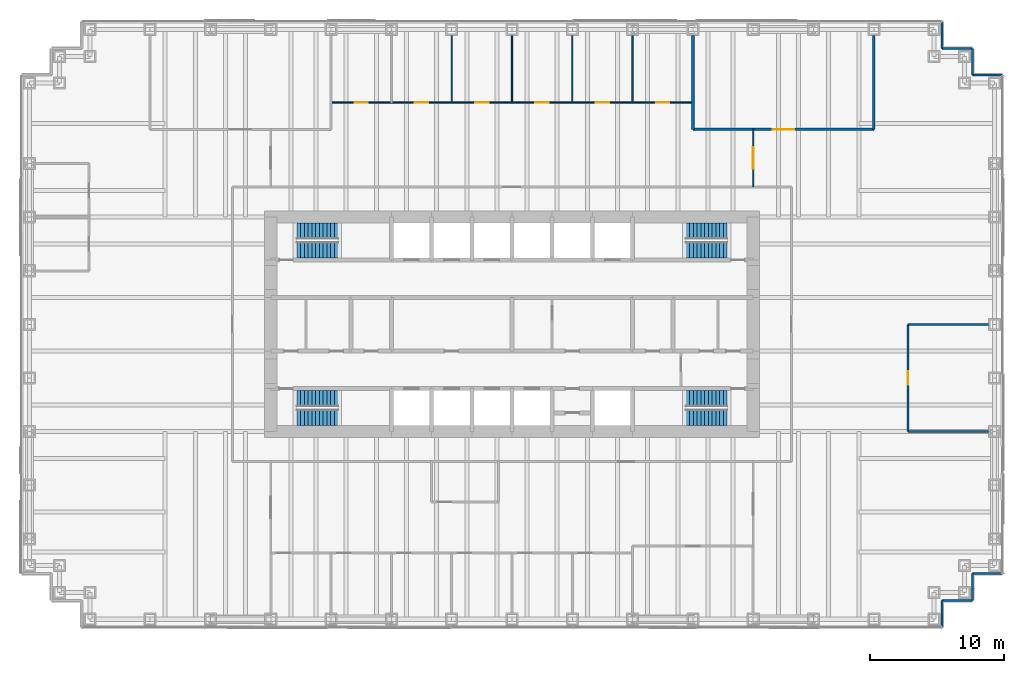
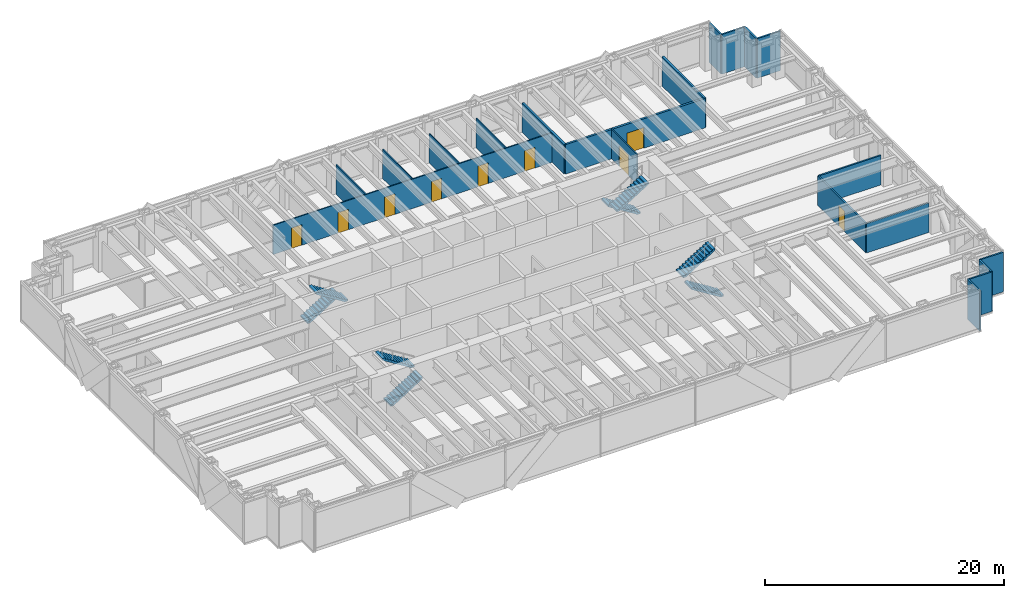
# One storey, part 14 of 15: 20 walls, 9 doors, 8 stair flights, 9 openings, 4 elements without a shape of their own.
"""IFC4 building model written with IfcOpenShell, lengths in metres."""

from ifc_helpers import new_model, si_unit, direction, frame, frame_2d, origin, place, context, subcontext, project, spatial, polyline, rectangle, outline, extrude, material, layer, layer_set, type_object, element, fill, aggregate, save


model = new_model("IFC4")

# Units and contexts
model_context = context("Model", 3, precision=1e-05, world=origin(), true_north=direction((0.0, 1.0)))
body_context = subcontext(model_context, "Body", "Model", "MODEL_VIEW")
ifc_project = project(units=[si_unit("LENGTHUNIT", "METRE"), si_unit("AREAUNIT", "SQUARE_METRE"), si_unit("VOLUMEUNIT", "CUBIC_METRE"), si_unit("PLANEANGLEUNIT", "RADIAN"), si_unit("MASSUNIT", "GRAM", prefix="KILO")], contexts=[model_context])

# Site, building, storey
site_placement = place(None, origin())
site = spatial("IfcSite", under=ifc_project, at=site_placement, CompositionType="ELEMENT")
building_placement = place(site_placement, origin())
building = spatial("IfcBuilding", under=site, at=building_placement, Name="Rheinbord Bourse Tower", CompositionType="ELEMENT")
storey_placement = place(building_placement, frame((0.0, 0.0, 113.10009765625)))
storey = spatial("IfcBuildingStorey", under=building, at=storey_placement, Name="L24", CompositionType="ELEMENT", Elevation=113.10009765625)

# Wall, opening, door
ifc_material_1 = material(Name="Acoustic gypsum board partition", Category="gypsum board")
ifc_layer_1 = layer(ifc_material_1, 0.199951171875)
ifc_layer_set_1 = layer_set([ifc_layer_1], Name="ACOUSTIC PARTITION 200")
wall_type_1 = type_object("IfcWallType", Name="ACOUSTIC PARTITION 200", PredefinedType="PARTITIONING", material=ifc_layer_set_1)
wall_1_placement = place(storey_placement, frame((49.5, 38.550048828125, 0.0), z_axis=(0.0, 0.0, 1.0), x_axis=(1.0, 0.0, 0.0)))
wall_1 = element("IfcWall", 1, at=wall_1_placement, inside=storey, type_object=wall_type_1, Name="Partition L24-14", PredefinedType="PARTITIONING", context=body_context, shape_type="SweptSolid", body=[
    extrude(rectangle(XDim=13.5, YDim=0.199951171875, at=frame_2d((6.75, 0.0))), origin(), (0.0, 0.0, 1.0), 3.0),
])
opening_1_placement = place(wall_1_placement, frame((5.949951171875, 0.0, 0.0)))
opening_1 = element("IfcOpeningElement", 2, at=opening_1_placement, cuts=wall_1, Name="Opening 24D13", PredefinedType="OPENING", context=body_context, shape_type="SweptSolid", body=[
    extrude(rectangle(XDim=1.60009765625, YDim=2.10009765625, at=frame_2d((0.800048828125, 1.050048828125))), frame((0.0, 0.10986328125, 0.0), z_axis=(0.0, -1.0, 0.0), x_axis=(1.0, 0.0, 0.0)), (0.0, 0.0, 1.0), 0.219970703125),
])
ifc_material_2 = material(Name="Timber door", Category="wood")
door_type_1 = type_object("IfcDoorType", Name="DOUBLE ROOM DOOR 1600", OperationType="DOUBLE_DOOR_DOUBLE_SWING", PredefinedType="DOOR", material=ifc_material_2)
door_1_placement = place(opening_1_placement, origin())
door_1 = element("IfcDoor", 3, at=door_1_placement, inside=storey, type_object=door_type_1, Name="Conference room door L24", OperationType="SINGLE_SWING_LEFT", OverallHeight=2.10009765625, OverallWidth=1.60009765625, PredefinedType="DOOR", context=body_context, shape_type="SweptSolid", body=[
    extrude(rectangle(XDim=1.60009765625, YDim=2.10009765625, at=frame_2d((0.800048828125, 1.050048828125))), frame((0.0, 0.02490234375, 0.0), z_axis=(0.0, -1.0, 0.0), x_axis=(1.0, 0.0, 0.0)), (0.0, 0.0, 1.0), 0.050048828125),
])
fill(opening_1, door_1)

# Walls
for number, where, z_axis, x_axis, name in (
    (4, (49.5, 38.550048828125, 0.0), (0.0, 0.0, 1.0), (0.0, 1.0, 0.0), "Partition L24-36"),
    (5, (63.0, 38.550048828125, 0.0), (0.0, 0.0, 1.0), (0.0, 1.0, 0.0), "Partition L24-41"),
):
    element("IfcWall", number, at=place(storey_placement, frame(where, z_axis=z_axis, x_axis=x_axis)), inside=storey, type_object=wall_type_1, Name=name, PredefinedType="PARTITIONING", context=body_context, shape_type="SweptSolid", body=[
        extrude(rectangle(XDim=7.0, YDim=0.199951171875, at=frame_2d((3.5, 0.0))), origin(), (0.0, 0.0, 1.0), 3.0),
    ])
ifc_material_3 = material(Name="Black metal rainscreen panel", Category="aluminium")
ifc_layer_2 = layer(ifc_material_3, 0.14990234375)
ifc_layer_set_2 = layer_set([ifc_layer_2], Name="CORNER PIER CLADDING 150")
wall_type_2 = type_object("IfcWallType", Name="CORNER PIER CLADDING 150", PredefinedType="ELEMENTEDWALL", material=ifc_layer_set_2)
wall_2_placement = place(storey_placement, frame((68.10009765625, 1.39990234375, 0.0), z_axis=(0.0, 0.0, 1.0), x_axis=(0.0, 1.0, 0.0)))
element("IfcWall", 6, at=wall_2_placement, inside=storey, type_object=wall_type_2, Name="Corner pier cladding L24 2", PredefinedType="ELEMENTEDWALL", context=body_context, shape_type="SweptSolid", body=[
    extrude(rectangle(XDim=2.0, YDim=0.14990234375, at=frame_2d((1.0, 0.0))), origin(), (0.0, 0.0, 1.0), 4.039794921875),
])
wall_3_placement = place(storey_placement, frame((68.10009765625, 3.39990234375, 0.0), z_axis=(0.0, 0.0, 1.0), x_axis=(1.0, 0.0, 0.0)))
element("IfcWall", 7, at=wall_3_placement, inside=storey, type_object=wall_type_2, Name="Corner pier cladding L24 3", PredefinedType="ELEMENTEDWALL", context=body_context, shape_type="SweptSolid", body=[
    extrude(rectangle(XDim=2.25, YDim=0.14990234375, at=frame_2d((1.125, 0.0))), origin(), (0.0, 0.0, 1.0), 4.039794921875),
])
wall_4_placement = place(storey_placement, frame((70.35009765625, 3.39990234375, 0.0), z_axis=(0.0, 0.0, 1.0), x_axis=(0.0, 1.0, 0.0)))
element("IfcWall", 8, at=wall_4_placement, inside=storey, type_object=wall_type_2, Name="Corner pier cladding L24 4", PredefinedType="ELEMENTEDWALL", context=body_context, shape_type="SweptSolid", body=[
    extrude(rectangle(XDim=2.0, YDim=0.14990234375, at=frame_2d((1.0, 0.0))), origin(), (0.0, 0.0, 1.0), 4.039794921875),
])
for number, where, z_axis, x_axis, name in (
    (9, (70.35009765625, 5.39990234375, 0.0), (0.0, 0.0, 1.0), (1.0, 0.0, 0.0), "Corner pier cladding L24 5"),
    (10, (72.60009765625, 42.60009765625, 0.0), (0.0, 0.0, 1.0), (-1.0, 0.0, 0.0), "Corner pier cladding L24 7"),
):
    element("IfcWall", number, at=place(storey_placement, frame(where, z_axis=z_axis, x_axis=x_axis)), inside=storey, type_object=wall_type_2, Name=name, PredefinedType="ELEMENTEDWALL", context=body_context, shape_type="SweptSolid", body=[
        extrude(rectangle(XDim=2.25, YDim=0.14990234375, at=frame_2d((1.125, 0.0))), origin(), (0.0, 0.0, 1.0), 4.039794921875),
    ])
wall_5_placement = place(storey_placement, frame((70.35009765625, 42.60009765625, 0.0), z_axis=(0.0, 0.0, 1.0), x_axis=(0.0, 1.0, 0.0)))
element("IfcWall", 11, at=wall_5_placement, inside=storey, type_object=wall_type_2, Name="Corner pier cladding L24 8", PredefinedType="ELEMENTEDWALL", context=body_context, shape_type="SweptSolid", body=[
    extrude(rectangle(XDim=2.0, YDim=0.14990234375, at=frame_2d((1.0, 0.0))), origin(), (0.0, 0.0, 1.0), 4.039794921875),
])
wall_6_placement = place(storey_placement, frame((70.35009765625, 44.60009765625, 0.0), z_axis=(0.0, 0.0, 1.0), x_axis=(-1.0, 0.0, 0.0)))
element("IfcWall", 12, at=wall_6_placement, inside=storey, type_object=wall_type_2, Name="Corner pier cladding L24 9", PredefinedType="ELEMENTEDWALL", context=body_context, shape_type="SweptSolid", body=[
    extrude(rectangle(XDim=2.25, YDim=0.14990234375, at=frame_2d((1.125, 0.0))), origin(), (0.0, 0.0, 1.0), 4.039794921875),
])
wall_7_placement = place(storey_placement, frame((68.10009765625, 44.60009765625, 0.0), z_axis=(0.0, 0.0, 1.0), x_axis=(0.0, 1.0, 0.0)))
element("IfcWall", 13, at=wall_7_placement, inside=storey, type_object=wall_type_2, Name="Corner pier cladding L24 10", PredefinedType="ELEMENTEDWALL", context=body_context, shape_type="SweptSolid", body=[
    extrude(rectangle(XDim=2.0, YDim=0.14990234375, at=frame_2d((1.0, 0.0))), origin(), (0.0, 0.0, 1.0), 4.039794921875),
])

# Wall, openings, doors
ifc_material_4 = material(Name="Toughened laminated glass partition", Category="glass")
ifc_layer_3 = layer(ifc_material_4, 0.10009765625)
ifc_layer_set_3 = layer_set([ifc_layer_3], Name="GLAZED PARTITION 100")
wall_type_3 = type_object("IfcWallType", Name="GLAZED PARTITION 100", PredefinedType="PARTITIONING", material=ifc_layer_set_3)
wall_8_placement = place(storey_placement, frame((22.5, 40.550048828125, 0.0), z_axis=(0.0, 0.0, 1.0), x_axis=(1.0, 0.0, 0.0)))
wall_8 = element("IfcWall", 14, at=wall_8_placement, inside=storey, type_object=wall_type_3, Name="Partition L24-15", PredefinedType="PARTITIONING", context=body_context, shape_type="SweptSolid", body=[
    extrude(rectangle(XDim=27.0, YDim=0.10009765625, at=frame_2d((13.5, 0.0))), origin(), (0.0, 0.0, 1.0), 3.0),
])
opening_2_placement = place(wall_8_placement, frame((1.75, 0.0, 0.0)))
opening_2 = element("IfcOpeningElement", 15, at=opening_2_placement, cuts=wall_8, Name="Opening 24D14", PredefinedType="OPENING", context=body_context, shape_type="SweptSolid", body=[
    extrude(rectangle(XDim=1.0, YDim=2.10009765625, at=frame_2d((0.5, 1.050048828125))), frame((0.0, 0.06005859375, 0.0), z_axis=(0.0, -1.0, 0.0), x_axis=(1.0, 0.0, 0.0)), (0.0, 0.0, 1.0), 0.1201171875),
])
opening_3_placement = place(wall_8_placement, frame((6.25, 0.0, 0.0)))
opening_3 = element("IfcOpeningElement", 16, at=opening_3_placement, cuts=wall_8, Name="Opening 24D15", PredefinedType="OPENING", context=body_context, shape_type="SweptSolid", body=[
    extrude(rectangle(XDim=1.0, YDim=2.10009765625, at=frame_2d((0.5, 1.050048828125))), frame((0.0, 0.06005859375, 0.0), z_axis=(0.0, -1.0, 0.0), x_axis=(1.0, 0.0, 0.0)), (0.0, 0.0, 1.0), 0.1201171875),
])
opening_4_placement = place(wall_8_placement, frame((10.75, 0.0, 0.0)))
opening_4 = element("IfcOpeningElement", 17, at=opening_4_placement, cuts=wall_8, Name="Opening 24D16", PredefinedType="OPENING", context=body_context, shape_type="SweptSolid", body=[
    extrude(rectangle(XDim=1.0, YDim=2.10009765625, at=frame_2d((0.5, 1.050048828125))), frame((0.0, 0.06005859375, 0.0), z_axis=(0.0, -1.0, 0.0), x_axis=(1.0, 0.0, 0.0)), (0.0, 0.0, 1.0), 0.1201171875),
])
opening_5_placement = place(wall_8_placement, frame((15.25, 0.0, 0.0)))
opening_5 = element("IfcOpeningElement", 18, at=opening_5_placement, cuts=wall_8, Name="Opening 24D17", PredefinedType="OPENING", context=body_context, shape_type="SweptSolid", body=[
    extrude(rectangle(XDim=1.0, YDim=2.10009765625, at=frame_2d((0.5, 1.050048828125))), frame((0.0, 0.06005859375, 0.0), z_axis=(0.0, -1.0, 0.0), x_axis=(1.0, 0.0, 0.0)), (0.0, 0.0, 1.0), 0.1201171875),
])
opening_6_placement = place(wall_8_placement, frame((19.75, 0.0, 0.0)))
opening_6 = element("IfcOpeningElement", 19, at=opening_6_placement, cuts=wall_8, Name="Opening 24D18", PredefinedType="OPENING", context=body_context, shape_type="SweptSolid", body=[
    extrude(rectangle(XDim=1.0, YDim=2.10009765625, at=frame_2d((0.5, 1.050048828125))), frame((0.0, 0.06005859375, 0.0), z_axis=(0.0, -1.0, 0.0), x_axis=(1.0, 0.0, 0.0)), (0.0, 0.0, 1.0), 0.1201171875),
])
opening_7_placement = place(wall_8_placement, frame((24.25, 0.0, 0.0)))
opening_7 = element("IfcOpeningElement", 20, at=opening_7_placement, cuts=wall_8, Name="Opening 24D19", PredefinedType="OPENING", context=body_context, shape_type="SweptSolid", body=[
    extrude(rectangle(XDim=1.0, YDim=2.10009765625, at=frame_2d((0.5, 1.050048828125))), frame((0.0, 0.06005859375, 0.0), z_axis=(0.0, -1.0, 0.0), x_axis=(1.0, 0.0, 0.0)), (0.0, 0.0, 1.0), 0.1201171875),
])
ifc_material_5 = material(Name="Timber door", Category="wood")
door_type_2 = type_object("IfcDoorType", Name="ROOM DOOR 1000", OperationType="SINGLE_SWING_LEFT", PredefinedType="DOOR", material=ifc_material_5)
door_2_placement = place(opening_2_placement, origin())
door_2 = element("IfcDoor", 21, at=door_2_placement, inside=storey, type_object=door_type_2, Name="Meeting room door L24", OperationType="SINGLE_SWING_LEFT", OverallHeight=2.10009765625, OverallWidth=1.0, PredefinedType="DOOR", context=body_context, shape_type="SweptSolid", body=[
    extrude(rectangle(XDim=1.0, YDim=2.10009765625, at=frame_2d((0.5, 1.050048828125))), frame((0.0, 0.02490234375, 0.0), z_axis=(0.0, -1.0, 0.0), x_axis=(1.0, 0.0, 0.0)), (0.0, 0.0, 1.0), 0.050048828125),
])
fill(opening_2, door_2)
door_3_placement = place(opening_3_placement, origin())
door_3 = element("IfcDoor", 22, at=door_3_placement, inside=storey, type_object=door_type_2, Name="Meeting room door L24", OperationType="SINGLE_SWING_LEFT", OverallHeight=2.10009765625, OverallWidth=1.0, PredefinedType="DOOR", context=body_context, shape_type="SweptSolid", body=[
    extrude(rectangle(XDim=1.0, YDim=2.10009765625, at=frame_2d((0.5, 1.050048828125))), frame((0.0, 0.02490234375, 0.0), z_axis=(0.0, -1.0, 0.0), x_axis=(1.0, 0.0, 0.0)), (0.0, 0.0, 1.0), 0.050048828125),
])
fill(opening_3, door_3)
door_4_placement = place(opening_4_placement, origin())
door_4 = element("IfcDoor", 23, at=door_4_placement, inside=storey, type_object=door_type_2, Name="Meeting room door L24", OperationType="SINGLE_SWING_LEFT", OverallHeight=2.10009765625, OverallWidth=1.0, PredefinedType="DOOR", context=body_context, shape_type="SweptSolid", body=[
    extrude(rectangle(XDim=1.0, YDim=2.10009765625, at=frame_2d((0.5, 1.050048828125))), frame((0.0, 0.02490234375, 0.0), z_axis=(0.0, -1.0, 0.0), x_axis=(1.0, 0.0, 0.0)), (0.0, 0.0, 1.0), 0.050048828125),
])
fill(opening_4, door_4)
door_5_placement = place(opening_5_placement, origin())
door_5 = element("IfcDoor", 24, at=door_5_placement, inside=storey, type_object=door_type_2, Name="Meeting room door L24", OperationType="SINGLE_SWING_RIGHT", OverallHeight=2.10009765625, OverallWidth=1.0, PredefinedType="DOOR", context=body_context, shape_type="SweptSolid", body=[
    extrude(rectangle(XDim=1.0, YDim=2.10009765625, at=frame_2d((0.5, 1.050048828125))), frame((0.0, 0.02490234375, 0.0), z_axis=(0.0, -1.0, 0.0), x_axis=(1.0, 0.0, 0.0)), (0.0, 0.0, 1.0), 0.050048828125),
])
fill(opening_5, door_5)
door_6_placement = place(opening_6_placement, origin())
door_6 = element("IfcDoor", 25, at=door_6_placement, inside=storey, type_object=door_type_2, Name="Meeting room door L24", OperationType="SINGLE_SWING_RIGHT", OverallHeight=2.10009765625, OverallWidth=1.0, PredefinedType="DOOR", context=body_context, shape_type="SweptSolid", body=[
    extrude(rectangle(XDim=1.0, YDim=2.10009765625, at=frame_2d((0.5, 1.050048828125))), frame((0.0, 0.02490234375, 0.0), z_axis=(0.0, -1.0, 0.0), x_axis=(1.0, 0.0, 0.0)), (0.0, 0.0, 1.0), 0.050048828125),
])
fill(opening_6, door_6)
door_7_placement = place(opening_7_placement, origin())
door_7 = element("IfcDoor", 26, at=door_7_placement, inside=storey, type_object=door_type_2, Name="Meeting room door L24", OperationType="SINGLE_SWING_RIGHT", OverallHeight=2.10009765625, OverallWidth=1.0, PredefinedType="DOOR", context=body_context, shape_type="SweptSolid", body=[
    extrude(rectangle(XDim=1.0, YDim=2.10009765625, at=frame_2d((0.5, 1.050048828125))), frame((0.0, 0.02490234375, 0.0), z_axis=(0.0, -1.0, 0.0), x_axis=(1.0, 0.0, 0.0)), (0.0, 0.0, 1.0), 0.050048828125),
])
fill(opening_7, door_7)

# Walls
for number, where, z_axis, x_axis, name in (
    (27, (31.5, 40.550048828125, 0.0), (0.0, 0.0, 1.0), (0.0, 1.0, 0.0), "Partition L24-28"),
    (28, (36.0, 40.550048828125, 0.0), (0.0, 0.0, 1.0), (0.0, 1.0, 0.0), "Partition L24-31"),
    (29, (40.5, 40.550048828125, 0.0), (0.0, 0.0, 1.0), (0.0, 1.0, 0.0), "Partition L24-33"),
    (30, (45.0, 40.550048828125, 0.0), (0.0, 0.0, 1.0), (0.0, 1.0, 0.0), "Partition L24-35"),
):
    element("IfcWall", number, at=place(storey_placement, frame(where, z_axis=z_axis, x_axis=x_axis)), inside=storey, type_object=wall_type_3, Name=name, PredefinedType="PARTITIONING", context=body_context, shape_type="SweptSolid", body=[
        extrude(rectangle(XDim=5.0, YDim=0.10009765625, at=frame_2d((2.5, 0.0))), origin(), (0.0, 0.0, 1.0), 3.0),
    ])

# Wall, opening, door
wall_9_placement = place(storey_placement, frame((54.0, 34.25, 0.0), z_axis=(0.0, 0.0, 1.0), x_axis=(0.0, 1.0, 0.0)))
wall_9 = element("IfcWall", 31, at=wall_9_placement, inside=storey, type_object=wall_type_3, Name="Partition L24-39", PredefinedType="PARTITIONING", context=body_context, shape_type="SweptSolid", body=[
    extrude(rectangle(XDim=4.300048828125, YDim=0.10009765625, at=frame_2d((2.14990234375, 0.0))), origin(), (0.0, 0.0, 1.0), 3.0),
])
opening_8_placement = place(wall_9_placement, frame((1.35009765625, 0.0, 0.0)))
opening_8 = element("IfcOpeningElement", 32, at=opening_8_placement, cuts=wall_9, Name="Opening 24D23", PredefinedType="OPENING", context=body_context, shape_type="SweptSolid", body=[
    extrude(rectangle(XDim=1.60009765625, YDim=2.10009765625, at=frame_2d((0.800048828125, 1.050048828125))), frame((0.0, 0.06005859375, 0.0), z_axis=(0.0, -1.0, 0.0), x_axis=(1.0, 0.0, 0.0)), (0.0, 0.0, 1.0), 0.1201171875),
])
door_8_placement = place(opening_8_placement, origin())
door_8 = element("IfcDoor", 33, at=door_8_placement, inside=storey, type_object=door_type_1, Name="Open area door L24", OperationType="SINGLE_SWING_LEFT", OverallHeight=2.10009765625, OverallWidth=1.60009765625, PredefinedType="DOOR", context=body_context, shape_type="SweptSolid", body=[
    extrude(rectangle(XDim=1.60009765625, YDim=2.10009765625, at=frame_2d((0.800048828125, 1.050048828125))), frame((0.0, 0.02490234375, 0.0), z_axis=(0.0, -1.0, 0.0), x_axis=(1.0, 0.0, 0.0)), (0.0, 0.0, 1.0), 0.050048828125),
])
fill(opening_8, door_8)

# Walls
ifc_material_6 = material(Name="Gypsum board partition", Category="gypsum board")
ifc_layer_4 = layer(ifc_material_6, 0.14990234375)
ifc_layer_set_4 = layer_set([ifc_layer_4], Name="PARTITION 150")
wall_type_4 = type_object("IfcWallType", Name="PARTITION 150", PredefinedType="PARTITIONING", material=ifc_layer_set_4)
for number, where, z_axis, x_axis, name in (
    (34, (65.550048828125, 16.0, 0.0), (0.0, 0.0, 1.0), (1.0, 0.0, 0.0), "Partition L24-07"),
    (35, (65.550048828125, 24.0, 0.0), (0.0, 0.0, 1.0), (1.0, 0.0, 0.0), "Partition L24-08"),
):
    element("IfcWall", number, at=place(storey_placement, frame(where, z_axis=z_axis, x_axis=x_axis)), inside=storey, type_object=wall_type_4, Name=name, PredefinedType="PARTITIONING", context=body_context, shape_type="SweptSolid", body=[
        extrude(rectangle(XDim=6.0, YDim=0.14990234375, at=frame_2d((3.0, 0.0))), origin(), (0.0, 0.0, 1.0), 3.0),
    ])

# Wall, opening, door
wall_10_placement = place(storey_placement, frame((65.550048828125, 16.0, 0.0), z_axis=(0.0, 0.0, 1.0), x_axis=(0.0, 1.0, 0.0)))
wall_10 = element("IfcWall", 36, at=wall_10_placement, inside=storey, type_object=wall_type_4, Name="Partition L24-42", PredefinedType="PARTITIONING", context=body_context, shape_type="SweptSolid", body=[
    extrude(rectangle(XDim=8.0, YDim=0.14990234375, at=frame_2d((4.0, 0.0))), origin(), (0.0, 0.0, 1.0), 3.0),
])
opening_9_placement = place(wall_10_placement, frame((3.5, 0.0, 0.0)))
opening_9 = element("IfcOpeningElement", 37, at=opening_9_placement, cuts=wall_10, Name="Opening 24D09", PredefinedType="OPENING", context=body_context, shape_type="SweptSolid", body=[
    extrude(rectangle(XDim=1.0, YDim=2.10009765625, at=frame_2d((0.5, 1.050048828125))), frame((0.0, 0.0849609375, 0.0), z_axis=(0.0, -1.0, 0.0), x_axis=(1.0, 0.0, 0.0)), (0.0, 0.0, 1.0), 0.169921875),
])
door_9_placement = place(opening_9_placement, origin())
door_9 = element("IfcDoor", 38, at=door_9_placement, inside=storey, type_object=door_type_2, Name="Pantry door L24", OperationType="SINGLE_SWING_LEFT", OverallHeight=2.10009765625, OverallWidth=1.0, PredefinedType="DOOR", context=body_context, shape_type="SweptSolid", body=[
    extrude(rectangle(XDim=1.0, YDim=2.10009765625, at=frame_2d((0.5, 1.050048828125))), frame((0.0, 0.02490234375, 0.0), z_axis=(0.0, -1.0, 0.0), x_axis=(1.0, 0.0, 0.0)), (0.0, 0.0, 1.0), 0.050048828125),
])
fill(opening_9, door_9)

# Stair, stair flights
ifc_material_7 = material(Name="Concrete C30/37", Category="concrete")
stair_type = type_object("IfcStairType", Name="CORE STAIR HALF TURN 4200", PredefinedType="HALF_TURN_STAIR", material=ifc_material_7)
stair_1_placement = place(storey_placement, origin())
stair_1 = element("IfcStair", 39, at=stair_1_placement, inside=storey, type_object=stair_type, Name="Stair ST1 L24, type CS6", PredefinedType="HALF_TURN_STAIR")
ifc_material_8 = material(Name="Concrete C30/37", Category="concrete")
stair_flight_type = type_object("IfcStairFlightType", Name="CORE STAIR FLIGHT 1200, 12 RISERS", PredefinedType="STRAIGHT", material=ifc_material_8)
stair_flight_1_placement = place(storey_placement, frame((19.949951171875, 17.050048828125, 0.0), z_axis=(0.0, 0.0, 1.0), x_axis=(1.0, 0.0, 0.0)))
stair_flight_1 = element("IfcStairFlight", 40, at=stair_flight_1_placement, type_object=stair_flight_type, Name="STAIR L24 ST1 F1", NumberOfRisers=12, NumberOfTreads=11, PredefinedType="STRAIGHT", RiserHeight=0.175, TreadLength=0.28, context=body_context, shape_type="SweptSolid", body=[
    extrude(outline(polyline([(0.0, 0.0), (0.0, 0.175048828125), (0.280029296875, 0.175048828125), (0.280029296875, 0.35009765625), (0.56005859375, 0.35009765625), (0.56005859375, 0.52490234375), (0.840087890625, 0.52490234375), (0.840087890625, 0.699951171875), (1.1201171875, 0.699951171875), (1.1201171875, 0.875), (1.39990234375, 0.875), (1.39990234375, 1.050048828125), (1.679931640625, 1.050048828125), (1.679931640625, 1.22509765625), (1.9599609375, 1.22509765625), (1.9599609375, 1.39990234375), (2.239990234375, 1.39990234375), (2.239990234375, 1.574951171875), (2.52001953125, 1.574951171875), (2.52001953125, 1.75), (2.800048828125, 1.75), (2.800048828125, 1.925048828125), (3.080078125, 1.925048828125), (3.080078125, 2.10009765625), (3.080078125, 1.748291015625), (0.28271484375, 0.0), (0.0, 0.0)])), frame((0.0, 0.60009765625, 0.0), z_axis=(0.0, -1.0, 0.0), x_axis=(1.0, 0.0, 0.0)), (0.0, 0.0, 1.0), 1.199951171875),
])
stair_flight_2_placement = place(storey_placement, frame((23.030029296875, 18.449951171875, 2.099853515625), z_axis=(0.0, 0.0, 1.0), x_axis=(-1.0, 0.0, 0.0)))
stair_flight_2 = element("IfcStairFlight", 41, at=stair_flight_2_placement, type_object=stair_flight_type, Name="STAIR L24 ST1 F2", NumberOfRisers=12, NumberOfTreads=11, PredefinedType="STRAIGHT", RiserHeight=0.175, TreadLength=0.28, context=body_context, shape_type="SweptSolid", body=[
    extrude(outline(polyline([(0.0, 0.0), (0.0, 0.175048828125), (0.280029296875, 0.175048828125), (0.280029296875, 0.35009765625), (0.56005859375, 0.35009765625), (0.56005859375, 0.52490234375), (0.840087890625, 0.52490234375), (0.840087890625, 0.699951171875), (1.1201171875, 0.699951171875), (1.1201171875, 0.875), (1.39990234375, 0.875), (1.39990234375, 1.050048828125), (1.679931640625, 1.050048828125), (1.679931640625, 1.22509765625), (1.9599609375, 1.22509765625), (1.9599609375, 1.39990234375), (2.239990234375, 1.39990234375), (2.239990234375, 1.574951171875), (2.52001953125, 1.574951171875), (2.52001953125, 1.75), (2.800048828125, 1.75), (2.800048828125, 1.925048828125), (3.080078125, 1.925048828125), (3.080078125, 2.10009765625), (3.080078125, 1.748291015625), (0.28271484375, 0.0), (0.0, 0.0)])), frame((0.0, 0.60009765625, 0.0), z_axis=(0.0, -1.0, 0.0), x_axis=(1.0, 0.0, 0.0)), (0.0, 0.0, 1.0), 1.199951171875),
])
aggregate(stair_1, [stair_flight_1, stair_flight_2])

stair_2_placement = place(storey_placement, origin())
stair_2 = element("IfcStair", 42, at=stair_2_placement, inside=storey, type_object=stair_type, Name="Stair ST2 L24, type CS6", PredefinedType="HALF_TURN_STAIR")
stair_flight_3_placement = place(storey_placement, frame((19.949951171875, 30.949951171875, 0.0), z_axis=(0.0, 0.0, 1.0), x_axis=(1.0, 0.0, 0.0)))
stair_flight_3 = element("IfcStairFlight", 43, at=stair_flight_3_placement, type_object=stair_flight_type, Name="STAIR L24 ST2 F1", NumberOfRisers=12, NumberOfTreads=11, PredefinedType="STRAIGHT", RiserHeight=0.175, TreadLength=0.28, context=body_context, shape_type="SweptSolid", body=[
    extrude(outline(polyline([(0.0, 0.0), (0.0, 0.175048828125), (0.280029296875, 0.175048828125), (0.280029296875, 0.35009765625), (0.56005859375, 0.35009765625), (0.56005859375, 0.52490234375), (0.840087890625, 0.52490234375), (0.840087890625, 0.699951171875), (1.1201171875, 0.699951171875), (1.1201171875, 0.875), (1.39990234375, 0.875), (1.39990234375, 1.050048828125), (1.679931640625, 1.050048828125), (1.679931640625, 1.22509765625), (1.9599609375, 1.22509765625), (1.9599609375, 1.39990234375), (2.239990234375, 1.39990234375), (2.239990234375, 1.574951171875), (2.52001953125, 1.574951171875), (2.52001953125, 1.75), (2.800048828125, 1.75), (2.800048828125, 1.925048828125), (3.080078125, 1.925048828125), (3.080078125, 2.10009765625), (3.080078125, 1.748291015625), (0.28271484375, 0.0), (0.0, 0.0)])), frame((0.0, 0.60009765625, 0.0), z_axis=(0.0, -1.0, 0.0), x_axis=(1.0, 0.0, 0.0)), (0.0, 0.0, 1.0), 1.199951171875),
])
stair_flight_4_placement = place(storey_placement, frame((23.030029296875, 29.550048828125, 2.099853515625), z_axis=(0.0, 0.0, 1.0), x_axis=(-1.0, 0.0, 0.0)))
stair_flight_4 = element("IfcStairFlight", 44, at=stair_flight_4_placement, type_object=stair_flight_type, Name="STAIR L24 ST2 F2", NumberOfRisers=12, NumberOfTreads=11, PredefinedType="STRAIGHT", RiserHeight=0.175, TreadLength=0.28, context=body_context, shape_type="SweptSolid", body=[
    extrude(outline(polyline([(0.0, 0.0), (0.0, 0.175048828125), (0.280029296875, 0.175048828125), (0.280029296875, 0.35009765625), (0.56005859375, 0.35009765625), (0.56005859375, 0.52490234375), (0.840087890625, 0.52490234375), (0.840087890625, 0.699951171875), (1.1201171875, 0.699951171875), (1.1201171875, 0.875), (1.39990234375, 0.875), (1.39990234375, 1.050048828125), (1.679931640625, 1.050048828125), (1.679931640625, 1.22509765625), (1.9599609375, 1.22509765625), (1.9599609375, 1.39990234375), (2.239990234375, 1.39990234375), (2.239990234375, 1.574951171875), (2.52001953125, 1.574951171875), (2.52001953125, 1.75), (2.800048828125, 1.75), (2.800048828125, 1.925048828125), (3.080078125, 1.925048828125), (3.080078125, 2.10009765625), (3.080078125, 1.748291015625), (0.28271484375, 0.0), (0.0, 0.0)])), frame((0.0, 0.60009765625, 0.0), z_axis=(0.0, -1.0, 0.0), x_axis=(1.0, 0.0, 0.0)), (0.0, 0.0, 1.0), 1.199951171875),
])
aggregate(stair_2, [stair_flight_3, stair_flight_4])

stair_3_placement = place(storey_placement, origin())
stair_3 = element("IfcStair", 45, at=stair_3_placement, inside=storey, type_object=stair_type, Name="Stair ST3 L24, type CS6", PredefinedType="HALF_TURN_STAIR")
stair_flight_5_placement = place(storey_placement, frame((52.050048828125, 17.050048828125, 0.0), z_axis=(0.0, 0.0, 1.0), x_axis=(-1.0, 0.0, 0.0)))
stair_flight_5 = element("IfcStairFlight", 46, at=stair_flight_5_placement, type_object=stair_flight_type, Name="STAIR L24 ST3 F1", NumberOfRisers=12, NumberOfTreads=11, PredefinedType="STRAIGHT", RiserHeight=0.175, TreadLength=0.28, context=body_context, shape_type="SweptSolid", body=[
    extrude(outline(polyline([(0.0, 0.0), (0.0, 0.175048828125), (0.280029296875, 0.175048828125), (0.280029296875, 0.35009765625), (0.56005859375, 0.35009765625), (0.56005859375, 0.52490234375), (0.840087890625, 0.52490234375), (0.840087890625, 0.699951171875), (1.1201171875, 0.699951171875), (1.1201171875, 0.875), (1.39990234375, 0.875), (1.39990234375, 1.050048828125), (1.679931640625, 1.050048828125), (1.679931640625, 1.22509765625), (1.9599609375, 1.22509765625), (1.9599609375, 1.39990234375), (2.239990234375, 1.39990234375), (2.239990234375, 1.574951171875), (2.52001953125, 1.574951171875), (2.52001953125, 1.75), (2.800048828125, 1.75), (2.800048828125, 1.925048828125), (3.080078125, 1.925048828125), (3.080078125, 2.10009765625), (3.080078125, 1.748291015625), (0.28271484375, 0.0), (0.0, 0.0)])), frame((0.0, 0.60009765625, 0.0), z_axis=(0.0, -1.0, 0.0), x_axis=(1.0, 0.0, 0.0)), (0.0, 0.0, 1.0), 1.199951171875),
])
stair_flight_6_placement = place(storey_placement, frame((48.969970703125, 18.449951171875, 2.099853515625), z_axis=(0.0, 0.0, 1.0), x_axis=(1.0, 0.0, 0.0)))
stair_flight_6 = element("IfcStairFlight", 47, at=stair_flight_6_placement, type_object=stair_flight_type, Name="STAIR L24 ST3 F2", NumberOfRisers=12, NumberOfTreads=11, PredefinedType="STRAIGHT", RiserHeight=0.175, TreadLength=0.28, context=body_context, shape_type="SweptSolid", body=[
    extrude(outline(polyline([(0.0, 0.0), (0.0, 0.175048828125), (0.280029296875, 0.175048828125), (0.280029296875, 0.35009765625), (0.56005859375, 0.35009765625), (0.56005859375, 0.52490234375), (0.840087890625, 0.52490234375), (0.840087890625, 0.699951171875), (1.1201171875, 0.699951171875), (1.1201171875, 0.875), (1.39990234375, 0.875), (1.39990234375, 1.050048828125), (1.679931640625, 1.050048828125), (1.679931640625, 1.22509765625), (1.9599609375, 1.22509765625), (1.9599609375, 1.39990234375), (2.239990234375, 1.39990234375), (2.239990234375, 1.574951171875), (2.52001953125, 1.574951171875), (2.52001953125, 1.75), (2.800048828125, 1.75), (2.800048828125, 1.925048828125), (3.080078125, 1.925048828125), (3.080078125, 2.10009765625), (3.080078125, 1.748291015625), (0.28271484375, 0.0), (0.0, 0.0)])), frame((0.0, 0.60009765625, 0.0), z_axis=(0.0, -1.0, 0.0), x_axis=(1.0, 0.0, 0.0)), (0.0, 0.0, 1.0), 1.199951171875),
])
aggregate(stair_3, [stair_flight_5, stair_flight_6])

stair_4_placement = place(storey_placement, origin())
stair_4 = element("IfcStair", 48, at=stair_4_placement, inside=storey, type_object=stair_type, Name="Stair ST4 L24, type CS6", PredefinedType="HALF_TURN_STAIR")
stair_flight_7_placement = place(storey_placement, frame((52.050048828125, 30.949951171875, 0.0), z_axis=(0.0, 0.0, 1.0), x_axis=(-1.0, 0.0, 0.0)))
stair_flight_7 = element("IfcStairFlight", 49, at=stair_flight_7_placement, type_object=stair_flight_type, Name="STAIR L24 ST4 F1", NumberOfRisers=12, NumberOfTreads=11, PredefinedType="STRAIGHT", RiserHeight=0.175, TreadLength=0.28, context=body_context, shape_type="SweptSolid", body=[
    extrude(outline(polyline([(0.0, 0.0), (0.0, 0.175048828125), (0.280029296875, 0.175048828125), (0.280029296875, 0.35009765625), (0.56005859375, 0.35009765625), (0.56005859375, 0.52490234375), (0.840087890625, 0.52490234375), (0.840087890625, 0.699951171875), (1.1201171875, 0.699951171875), (1.1201171875, 0.875), (1.39990234375, 0.875), (1.39990234375, 1.050048828125), (1.679931640625, 1.050048828125), (1.679931640625, 1.22509765625), (1.9599609375, 1.22509765625), (1.9599609375, 1.39990234375), (2.239990234375, 1.39990234375), (2.239990234375, 1.574951171875), (2.52001953125, 1.574951171875), (2.52001953125, 1.75), (2.800048828125, 1.75), (2.800048828125, 1.925048828125), (3.080078125, 1.925048828125), (3.080078125, 2.10009765625), (3.080078125, 1.748291015625), (0.28271484375, 0.0), (0.0, 0.0)])), frame((0.0, 0.60009765625, 0.0), z_axis=(0.0, -1.0, 0.0), x_axis=(1.0, 0.0, 0.0)), (0.0, 0.0, 1.0), 1.199951171875),
])
stair_flight_8_placement = place(storey_placement, frame((48.969970703125, 29.550048828125, 2.099853515625), z_axis=(0.0, 0.0, 1.0), x_axis=(1.0, 0.0, 0.0)))
stair_flight_8 = element("IfcStairFlight", 50, at=stair_flight_8_placement, type_object=stair_flight_type, Name="STAIR L24 ST4 F2", NumberOfRisers=12, NumberOfTreads=11, PredefinedType="STRAIGHT", RiserHeight=0.175, TreadLength=0.28, context=body_context, shape_type="SweptSolid", body=[
    extrude(outline(polyline([(0.0, 0.0), (0.0, 0.175048828125), (0.280029296875, 0.175048828125), (0.280029296875, 0.35009765625), (0.56005859375, 0.35009765625), (0.56005859375, 0.52490234375), (0.840087890625, 0.52490234375), (0.840087890625, 0.699951171875), (1.1201171875, 0.699951171875), (1.1201171875, 0.875), (1.39990234375, 0.875), (1.39990234375, 1.050048828125), (1.679931640625, 1.050048828125), (1.679931640625, 1.22509765625), (1.9599609375, 1.22509765625), (1.9599609375, 1.39990234375), (2.239990234375, 1.39990234375), (2.239990234375, 1.574951171875), (2.52001953125, 1.574951171875), (2.52001953125, 1.75), (2.800048828125, 1.75), (2.800048828125, 1.925048828125), (3.080078125, 1.925048828125), (3.080078125, 2.10009765625), (3.080078125, 1.748291015625), (0.28271484375, 0.0), (0.0, 0.0)])), frame((0.0, 0.60009765625, 0.0), z_axis=(0.0, -1.0, 0.0), x_axis=(1.0, 0.0, 0.0)), (0.0, 0.0, 1.0), 1.199951171875),
])
aggregate(stair_4, [stair_flight_7, stair_flight_8])

save(model, "model.ifc")
